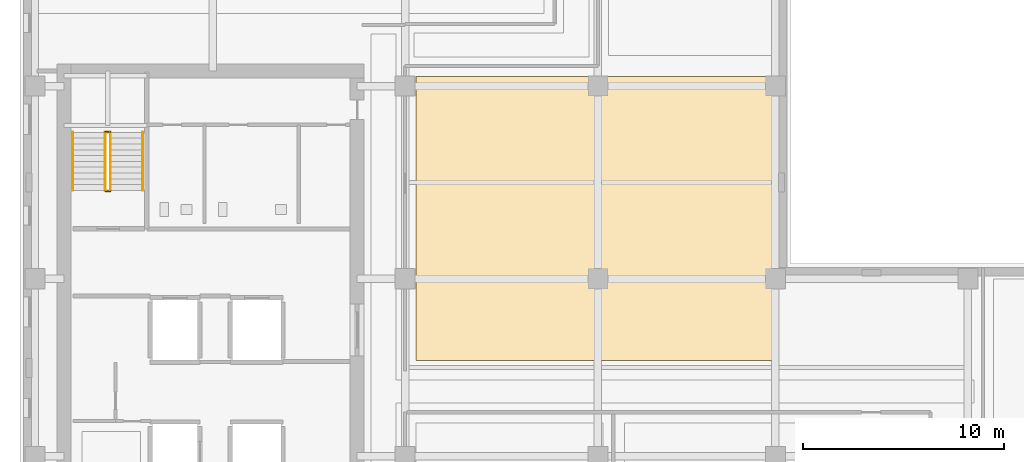
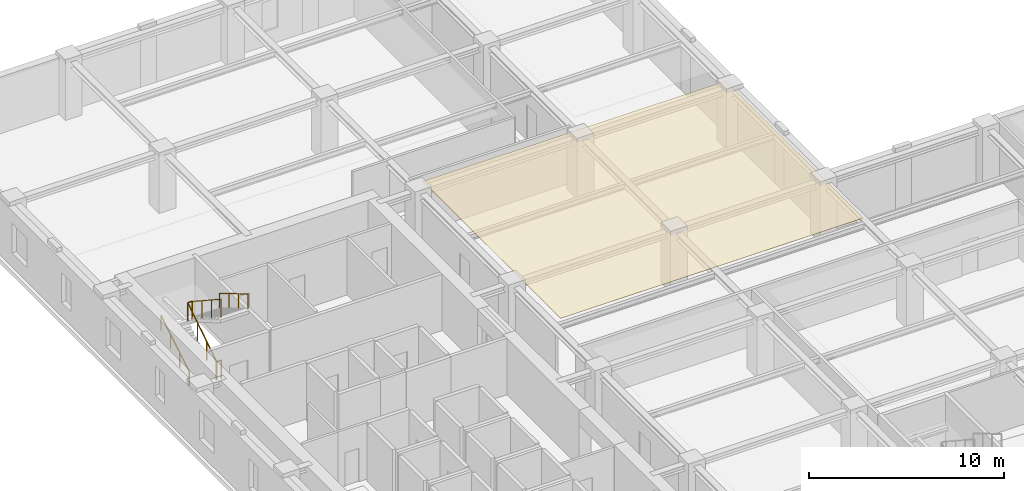
# One storey, part 10 of 12: 6 railings, 1 covering.
"""IFC4 building model written with IfcOpenShell, lengths in metres."""

from ifc_helpers import new_model, si_unit, direction, frame, origin, origin_2d, place, context, subcontext, project, spatial, polyline, circle, outline, extrude, material, layer, layer_set, type_object, element, save


model = new_model("IFC4")

# Units and contexts
model_context = context("Model", 3, precision=1e-05, world=origin(), true_north=direction((0.0, 1.0)))
body_context = subcontext(model_context, "Body", "Model", "MODEL_VIEW")
ifc_project = project(units=[si_unit("LENGTHUNIT", "METRE"), si_unit("AREAUNIT", "SQUARE_METRE"), si_unit("VOLUMEUNIT", "CUBIC_METRE"), si_unit("PLANEANGLEUNIT", "RADIAN"), si_unit("MASSUNIT", "GRAM", prefix="KILO")], contexts=[model_context])

# Site, building, storey
site_placement = place(None, origin())
site = spatial("IfcSite", under=ifc_project, at=site_placement, CompositionType="ELEMENT")
building_placement = place(site_placement, origin())
building = spatial("IfcBuilding", under=site, at=building_placement, Name="Norrvale University Quadrangle", CompositionType="ELEMENT")
storey_placement = place(building_placement, frame((0.0, 0.0, 105.199951171875)))
storey = spatial("IfcBuildingStorey", under=building, at=storey_placement, Name="L26", CompositionType="ELEMENT", Elevation=105.199951171875)

# Covering
ifc_material_1 = material(Name="Perforated Acoustic Mineral Ceiling")
ifc_layer = layer(ifc_material_1, 0.02490234375, Name="Perforated Acoustic Mineral Ceiling")
ifc_layer_set = layer_set([ifc_layer], Name="Perforated Acoustic Mineral Ceiling")
covering_type = type_object("IfcCoveringType", Name="Covering Acoustic Ceiling 25", PredefinedType="CEILING", material=ifc_layer_set)
covering_placement = place(storey_placement, frame((0.0, 0.0, 3.51513671875)))
element("IfcCovering", 1, at=covering_placement, inside=storey, type_object=covering_type, Name="Acoustic Ceiling RM-L26-MNE01", PredefinedType="CEILING", context=body_context, shape_type="SweptSolid", body=[
    extrude(outline(polyline([(19.72998046875, 47.719970703125), (37.64990234375, 47.719970703125), (37.64990234375, 33.580078125), (19.72998046875, 33.580078125), (19.72998046875, 47.719970703125)])), origin(), (0.0, 0.0, 1.0), 0.02490234375),
])

# Railings
ifc_material_2 = material(Name="Steel 350W Painted Balustrade", Category="steel")
railing_type_1 = type_object("IfcRailingType", Name="Railing Stair Guard 1100", PredefinedType="GUARDRAIL", material=ifc_material_2)
for number, where, name in (
    (2, (4.239990234375, 42.02001953125, 0.0), "Stair Floor Well Guard ST-02 L26"),
    (3, (4.239990234375, 44.97998046875, 1.900146484375), "Stair Mid-Landing Slot Guard ST-02 L26"),
):
    element("IfcRailing", number, at=place(storey_placement, frame(where)), inside=storey, type_object=railing_type_1, Name=name, PredefinedType="GUARDRAIL", context=body_context, shape_type="SweptSolid", body=[
        extrude(circle(Radius=0.02392578125, at=origin_2d()), frame((0.0, 0.0, 1.1259765625), z_axis=(1.0, 0.0, 0.0), x_axis=(0.0, 1.0, 0.0)), (0.0, 0.0, 1.0), 0.27001953125),
        extrude(circle(Radius=0.02099609375, at=origin_2d()), origin(), (0.0, 0.0, 1.0), 1.101806640625),
        extrude(circle(Radius=0.02099609375, at=origin_2d()), frame((0.27001953125, 0.0, 0.0)), (0.0, 0.0, 1.0), 1.101806640625),
    ])
railing_1_placement = place(storey_placement, frame((4.239990234375, 42.050048828125, 0.0)))
element("IfcRailing", 4, at=railing_1_placement, inside=storey, type_object=railing_type_1, Name="Stair Lower Flight Inner Guard ST-02 L26", PredefinedType="GUARDRAIL", context=body_context, shape_type="SweptSolid", body=[
    extrude(circle(Radius=0.02392578125, at=origin_2d()), frame((0.0, 0.0, 1.1259765625), z_axis=(0.0, 0.836433300813, 0.548068730445), x_axis=(-1.0, 0.0, 0.0)), (0.0, 0.0, 1.0), 3.467041015625),
    extrude(circle(Radius=0.02099609375, at=origin_2d()), origin(), (0.0, 0.0, 1.0), 1.101806640625),
    extrude(circle(Radius=0.02099609375, at=origin_2d()), frame((0.0, 0.966552734375, 0.63330078125)), (0.0, 0.0, 1.0), 1.101806640625),
    extrude(circle(Radius=0.02099609375, at=origin_2d()), frame((0.0, 1.933349609375, 1.266845703125)), (0.0, 0.0, 1.0), 1.101806640625),
    extrude(circle(Radius=0.02099609375, at=origin_2d()), frame((0.0, 2.89990234375, 1.900146484375)), (0.0, 0.0, 1.0), 1.101806640625),
])
railing_2_placement = place(storey_placement, frame((4.510009765625, 44.949951171875, 1.900146484375)))
element("IfcRailing", 5, at=railing_2_placement, inside=storey, type_object=railing_type_1, Name="Stair Upper Flight Inner Guard ST-02 L26", PredefinedType="GUARDRAIL", context=body_context, shape_type="SweptSolid", body=[
    extrude(circle(Radius=0.02392578125, at=origin_2d()), frame((0.0, 0.0, 1.1259765625), z_axis=(0.0, -0.836465582154, 0.548019461216), x_axis=(1.0, 0.0, 0.0)), (0.0, 0.0, 1.0), 3.466796875),
    extrude(circle(Radius=0.02099609375, at=origin_2d()), origin(), (0.0, 0.0, 1.0), 1.101806640625),
    extrude(circle(Radius=0.02099609375, at=origin_2d()), frame((0.0, -0.966552734375, 0.63330078125)), (0.0, 0.0, 1.0), 1.101806640625),
    extrude(circle(Radius=0.02099609375, at=origin_2d()), frame((0.0, -1.933349609375, 1.2666015625)), (0.0, 0.0, 1.0), 1.101806640625),
    extrude(circle(Radius=0.02099609375, at=origin_2d()), frame((0.0, -2.89990234375, 1.89990234375)), (0.0, 0.0, 1.0), 1.101806640625),
])
ifc_material_3 = material(Name="Stainless Steel 316L Handrail", Category="steel")
railing_type_2 = type_object("IfcRailingType", Name="Railing Stair Handrail 920", PredefinedType="HANDRAIL", material=ifc_material_3)
railing_3_placement = place(storey_placement, frame((2.639892578125, 42.050048828125, 0.1728515625)))
element("IfcRailing", 6, at=railing_3_placement, inside=storey, type_object=railing_type_2, Name="Stair Lower Flight Handrail ST-02 L26", PredefinedType="HANDRAIL", context=body_context, shape_type="SweptSolid", body=[
    extrude(circle(Radius=0.02392578125, at=origin_2d()), frame((0.0, 0.0, 0.89599609375), z_axis=(0.0, 0.859141464434, 0.511738159696), x_axis=(-1.0, 0.0, 0.0)), (0.0, 0.0, 1.0), 3.375244140625),
    extrude(circle(Radius=0.02099609375, at=origin_2d()), origin(), (0.0, 0.0, 1.0), 0.871826171875),
    extrude(circle(Radius=0.02099609375, at=origin_2d()), frame((0.0, 0.966552734375, 0.57568359375)), (0.0, 0.0, 1.0), 0.871826171875),
    extrude(circle(Radius=0.02099609375, at=origin_2d()), frame((0.0, 1.933349609375, 1.151611328125)), (0.0, 0.0, 1.0), 0.871826171875),
    extrude(circle(Radius=0.02099609375, at=origin_2d()), frame((0.0, 2.89990234375, 1.727294921875)), (0.0, 0.0, 1.0), 0.871826171875),
])
railing_4_placement = place(storey_placement, frame((6.110107421875, 44.949951171875, 2.07275390625)))
element("IfcRailing", 7, at=railing_4_placement, inside=storey, type_object=railing_type_2, Name="Stair Upper Flight Handrail ST-02 L26", PredefinedType="HANDRAIL", context=body_context, shape_type="SweptSolid", body=[
    extrude(circle(Radius=0.02392578125, at=origin_2d()), frame((0.0, 0.0, 0.89599609375), z_axis=(0.0, -0.859141464434, 0.511738159696), x_axis=(1.0, 0.0, 0.0)), (0.0, 0.0, 1.0), 3.375244140625),
    extrude(circle(Radius=0.02099609375, at=origin_2d()), origin(), (0.0, 0.0, 1.0), 0.871826171875),
    extrude(circle(Radius=0.02099609375, at=origin_2d()), frame((0.0, -0.966552734375, 0.57568359375)), (0.0, 0.0, 1.0), 0.871826171875),
    extrude(circle(Radius=0.02099609375, at=origin_2d()), frame((0.0, -1.933349609375, 1.151611328125)), (0.0, 0.0, 1.0), 0.871826171875),
    extrude(circle(Radius=0.02099609375, at=origin_2d()), frame((0.0, -2.89990234375, 1.727294921875)), (0.0, 0.0, 1.0), 0.871826171875),
])

save(model, "model.ifc")
